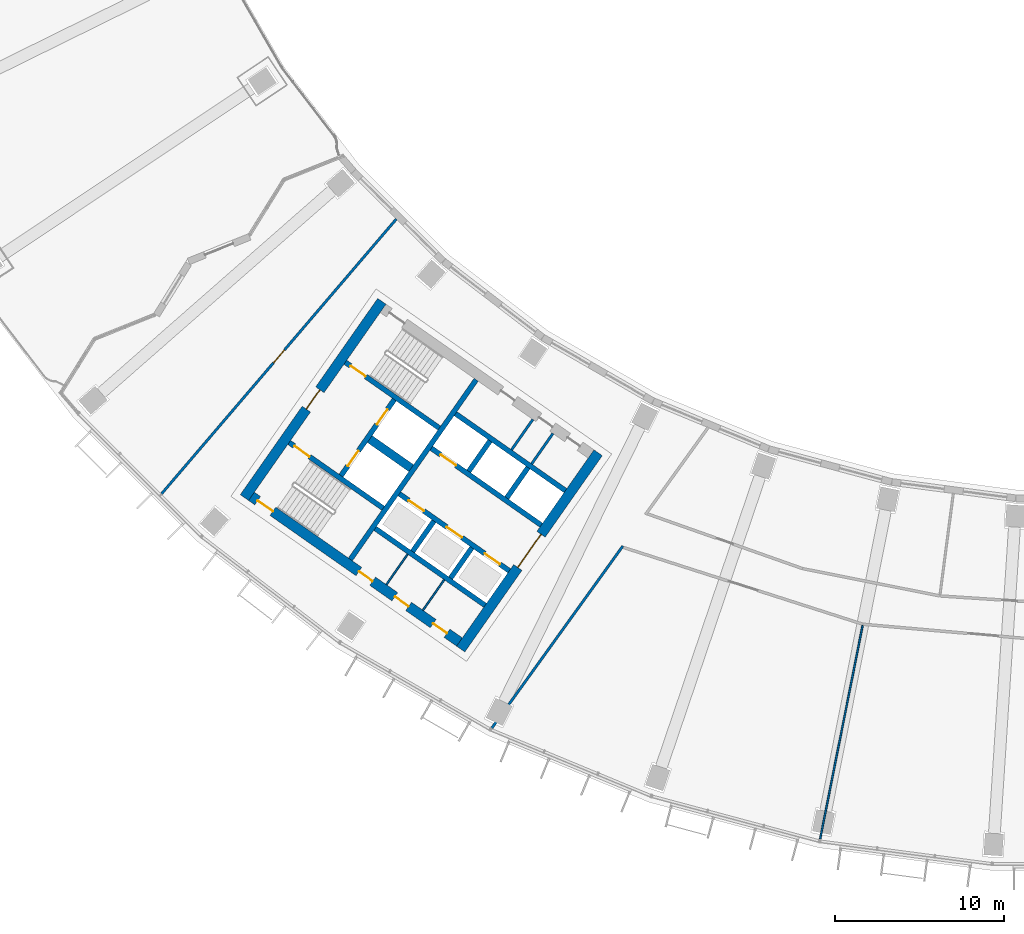
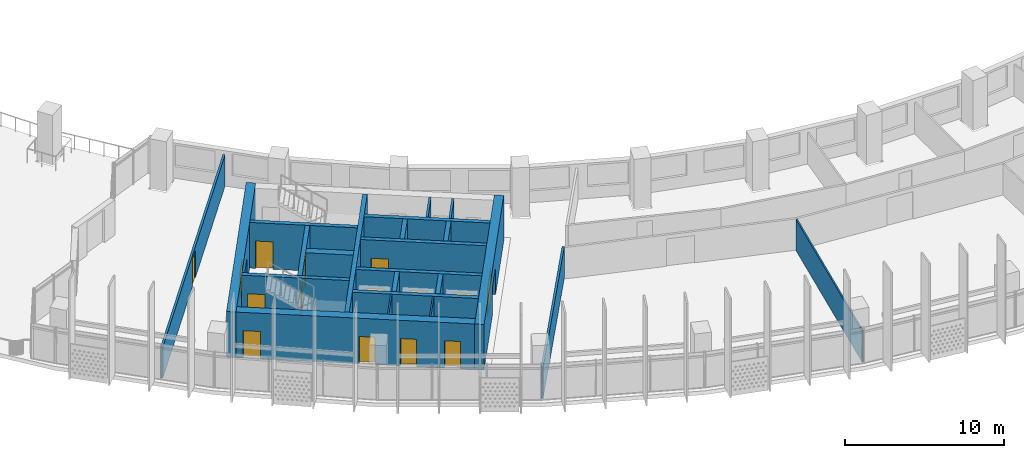
# One storey, part 3 of 31: 23 walls, 15 doors, 15 openings.
"""IFC4 building model written with IfcOpenShell, lengths in metres."""

from ifc_helpers import new_model, si_unit, direction, frame, frame_2d, origin, place, context, subcontext, project, spatial, rectangle, extrude, material, layer, layer_set, type_object, element, fill, save


model = new_model("IFC4")

# Units and contexts
model_context = context("Model", 3, precision=1e-05, world=origin(), true_north=direction((0.0, 1.0)))
body_context = subcontext(model_context, "Body", "Model", "MODEL_VIEW")
ifc_project = project(units=[si_unit("LENGTHUNIT", "METRE"), si_unit("AREAUNIT", "SQUARE_METRE"), si_unit("VOLUMEUNIT", "CUBIC_METRE"), si_unit("PLANEANGLEUNIT", "RADIAN"), si_unit("MASSUNIT", "GRAM", prefix="KILO")], contexts=[model_context])

# Site, building, storey
site_placement = place(None, origin())
site = spatial("IfcSite", under=ifc_project, at=site_placement, CompositionType="ELEMENT")
building_placement = place(site_placement, origin())
building = spatial("IfcBuilding", under=site, at=building_placement, Name="Qamariyya Broadcast Tower", CompositionType="ELEMENT")
storey_placement = place(building_placement, frame((0.0, 0.0, 149.300048828125)))
storey = spatial("IfcBuildingStorey", under=building, at=storey_placement, Name="L34", CompositionType="ELEMENT", Elevation=149.300048828125)

# Wall, opening, door
ifc_material_1 = material(Name="Concrete C60/75", Category="concrete")
ifc_layer_1 = layer(ifc_material_1, 0.60009765625)
ifc_layer_set_1 = layer_set([ifc_layer_1], Name="Core wall 600 mm Concrete C60/75")
wall_type_1 = type_object("IfcWallType", Name="Core wall 600 mm Concrete C60/75", PredefinedType="SHEAR", material=ifc_layer_set_1)
wall_1_placement = place(storey_placement, frame((-36.66748046875, -66.005126953125, 0.0), z_axis=(0.0, 0.0, 1.0), x_axis=(0.573568499524, 0.819157601658, 0.0)))
wall_1 = element("IfcWall", 1, at=wall_1_placement, inside=storey, type_object=wall_type_1, Name="k-W-L34-WA", PredefinedType="SHEAR", context=body_context, shape_type="SweptSolid", body=[
    extrude(rectangle(XDim=14.19970703125, YDim=0.60009765625, at=frame_2d((7.099853515625, 0.0))), origin(), (0.0, 0.0, 1.0), 3.5),
])
opening_1_placement = place(wall_1_placement, frame((5.89990234375, 0.0, 0.0)))
opening_1 = element("IfcOpeningElement", 2, at=opening_1_placement, cuts=wall_1, Name="Opening KD3-W1", PredefinedType="OPENING", context=body_context, shape_type="SweptSolid", body=[
    extrude(rectangle(XDim=2.39990234375, YDim=2.10009765625, at=frame_2d((1.199951171875, 1.050048828125))), frame((0.0, 0.31005859375, 0.0), z_axis=(0.0, -1.0, 0.0), x_axis=(1.0, 0.0, 0.0)), (0.0, 0.0, 1.0), 0.6201171875),
])
ifc_material_2 = material(Name="Steel fire-resisting door leaf", Category="steel")
door_type_1 = type_object("IfcDoorType", Name="Lift lobby door KD3", OperationType="DOUBLE_DOOR_SINGLE_SWING", PredefinedType="DOOR", material=ifc_material_2)
door_1_placement = place(opening_1_placement, origin())
door_1 = element("IfcDoor", 3, at=door_1_placement, inside=storey, type_object=door_type_1, Name="k-W-L34-WA-D1", OperationType="DOUBLE_DOOR_SINGLE_SWING", OverallHeight=2.10009765625, OverallWidth=2.39990234375, PredefinedType="DOOR", context=body_context, shape_type="SweptSolid", body=[
    extrude(rectangle(XDim=2.39990234375, YDim=2.10009765625, at=frame_2d((1.199951171875, 1.050048828125))), frame((0.0, 0.02490234375, 0.0), z_axis=(0.0, -1.0, 0.0), x_axis=(1.0, 0.0, 0.0)), (0.0, 0.0, 1.0), 0.050048828125),
])
fill(opening_1, door_1)

wall_2_placement = place(storey_placement, frame((-49.4833984375, -57.031494140625, 0.0), z_axis=(0.0, 0.0, 1.0), x_axis=(0.573560421458, 0.819163257805, 0.0)))
wall_2 = element("IfcWall", 4, at=wall_2_placement, inside=storey, type_object=wall_type_1, Name="k-W-L34-WH", PredefinedType="SHEAR", context=body_context, shape_type="SweptSolid", body=[
    extrude(rectangle(XDim=14.199951171875, YDim=0.60009765625, at=frame_2d((7.10009765625, 0.0))), origin(), (0.0, 0.0, 1.0), 3.5),
])
opening_2_placement = place(wall_2_placement, frame((6.39990234375, 0.0, 0.0)))
opening_2 = element("IfcOpeningElement", 5, at=opening_2_placement, cuts=wall_2, Name="Opening KD2-W1", PredefinedType="OPENING", context=body_context, shape_type="SweptSolid", body=[
    extrude(rectangle(XDim=1.39990234375, YDim=2.10009765625, at=frame_2d((0.699951171875, 1.050048828125))), frame((0.0, 0.31005859375, 0.0), z_axis=(0.0, -1.0, 0.0), x_axis=(1.0, 0.0, 0.0)), (0.0, 0.0, 1.0), 0.6201171875),
])
door_type_2 = type_object("IfcDoorType", Name="Fire-fighting lobby door KD2", OperationType="DOUBLE_DOOR_SINGLE_SWING", PredefinedType="DOOR", material=ifc_material_2)
door_2_placement = place(opening_2_placement, origin())
door_2 = element("IfcDoor", 6, at=door_2_placement, inside=storey, type_object=door_type_2, Name="k-W-L34-WH-D14", OperationType="DOUBLE_DOOR_SINGLE_SWING", OverallHeight=2.10009765625, OverallWidth=1.39990234375, PredefinedType="DOOR", context=body_context, shape_type="SweptSolid", body=[
    extrude(rectangle(XDim=1.39990234375, YDim=2.10009765625, at=frame_2d((0.699951171875, 1.050048828125))), frame((0.0, 0.02490234375, 0.0), z_axis=(0.0, -1.0, 0.0), x_axis=(1.0, 0.0, 0.0)), (0.0, 0.0, 1.0), 0.050048828125),
])
fill(opening_2, door_2)

# Wall, openings, doors
wall_3_placement = place(storey_placement, frame((-36.7412109375, -65.58740234375, 0.0), z_axis=(0.0, 0.0, 1.0), x_axis=(-0.819153391756, 0.573574511963, 0.0)))
wall_3 = element("IfcWall", 7, at=wall_3_placement, inside=storey, type_object=wall_type_1, Name="k-W-L34-WO", PredefinedType="SHEAR", context=body_context, shape_type="SweptSolid", body=[
    extrude(rectangle(XDim=15.04541015625, YDim=0.60009765625, at=frame_2d((7.522705078125, 0.0))), origin(), (0.0, 0.0, 1.0), 3.5),
])
opening_3_placement = place(wall_3_placement, frame((0.89990234375, 0.0, 0.0)))
opening_3 = element("IfcOpeningElement", 8, at=opening_3_placement, cuts=wall_3, Name="Opening KD4-W1", PredefinedType="OPENING", context=body_context, shape_type="SweptSolid", body=[
    extrude(rectangle(XDim=1.0, YDim=2.10009765625, at=frame_2d((0.5, 1.050048828125))), frame((0.0, 0.31005859375, 0.0), z_axis=(0.0, -1.0, 0.0), x_axis=(1.0, 0.0, 0.0)), (0.0, 0.0, 1.0), 0.6201171875),
])
opening_4_placement = place(wall_3_placement, frame((3.675048828125, 0.0, 0.0)))
opening_4 = element("IfcOpeningElement", 9, at=opening_4_placement, cuts=wall_3, Name="Opening KD4-W2", PredefinedType="OPENING", context=body_context, shape_type="SweptSolid", body=[
    extrude(rectangle(XDim=1.0, YDim=2.10009765625, at=frame_2d((0.5, 1.050048828125))), frame((0.0, 0.31005859375, 0.0), z_axis=(0.0, -1.0, 0.0), x_axis=(1.0, 0.0, 0.0)), (0.0, 0.0, 1.0), 0.6201171875),
])
opening_5_placement = place(wall_3_placement, frame((6.27490234375, 0.0, 0.0)))
opening_5 = element("IfcOpeningElement", 10, at=opening_5_placement, cuts=wall_3, Name="Opening KD4-W3", PredefinedType="OPENING", context=body_context, shape_type="SweptSolid", body=[
    extrude(rectangle(XDim=1.0, YDim=2.10009765625, at=frame_2d((0.5, 1.050048828125))), frame((0.0, 0.31005859375, 0.0), z_axis=(0.0, -1.0, 0.0), x_axis=(1.0, 0.0, 0.0)), (0.0, 0.0, 1.0), 0.6201171875),
])
opening_6_placement = place(wall_3_placement, frame((13.495361328125, 0.0, 0.0)))
opening_6 = element("IfcOpeningElement", 11, at=opening_6_placement, cuts=wall_3, Name="Opening KD1-W3", PredefinedType="OPENING", context=body_context, shape_type="SweptSolid", body=[
    extrude(rectangle(XDim=1.10009765625, YDim=2.10009765625, at=frame_2d((0.550048828125, 1.050048828125))), frame((0.0, 0.31005859375, 0.0), z_axis=(0.0, -1.0, 0.0), x_axis=(1.0, 0.0, 0.0)), (0.0, 0.0, 1.0), 0.6201171875),
])
door_type_3 = type_object("IfcDoorType", Name="Riser and plant door KD4", OperationType="SINGLE_SWING_LEFT", PredefinedType="DOOR", material=ifc_material_2)
door_3_placement = place(opening_3_placement, origin())
door_3 = element("IfcDoor", 12, at=door_3_placement, inside=storey, type_object=door_type_3, Name="k-W-L34-WO-D9", OperationType="SINGLE_SWING_RIGHT", OverallHeight=2.10009765625, OverallWidth=1.0, PredefinedType="DOOR", context=body_context, shape_type="SweptSolid", body=[
    extrude(rectangle(XDim=1.0, YDim=2.10009765625, at=frame_2d((0.5, 1.050048828125))), frame((0.0, 0.02490234375, 0.0), z_axis=(0.0, -1.0, 0.0), x_axis=(1.0, 0.0, 0.0)), (0.0, 0.0, 1.0), 0.050048828125),
])
fill(opening_3, door_3)
door_4_placement = place(opening_4_placement, origin())
door_4 = element("IfcDoor", 13, at=door_4_placement, inside=storey, type_object=door_type_3, Name="k-W-L34-WO-D10", OperationType="SINGLE_SWING_LEFT", OverallHeight=2.10009765625, OverallWidth=1.0, PredefinedType="DOOR", context=body_context, shape_type="SweptSolid", body=[
    extrude(rectangle(XDim=1.0, YDim=2.10009765625, at=frame_2d((0.5, 1.050048828125))), frame((0.0, 0.02490234375, 0.0), z_axis=(0.0, -1.0, 0.0), x_axis=(1.0, 0.0, 0.0)), (0.0, 0.0, 1.0), 0.050048828125),
])
fill(opening_4, door_4)
door_5_placement = place(opening_5_placement, origin())
door_5 = element("IfcDoor", 14, at=door_5_placement, inside=storey, type_object=door_type_3, Name="k-W-L34-WO-D11", OperationType="SINGLE_SWING_RIGHT", OverallHeight=2.10009765625, OverallWidth=1.0, PredefinedType="DOOR", context=body_context, shape_type="SweptSolid", body=[
    extrude(rectangle(XDim=1.0, YDim=2.10009765625, at=frame_2d((0.5, 1.050048828125))), frame((0.0, 0.02490234375, 0.0), z_axis=(0.0, -1.0, 0.0), x_axis=(1.0, 0.0, 0.0)), (0.0, 0.0, 1.0), 0.050048828125),
])
fill(opening_5, door_5)
door_type_4 = type_object("IfcDoorType", Name="Stair door KD1", OperationType="SINGLE_SWING_LEFT", PredefinedType="DOOR", material=ifc_material_2)
door_6_placement = place(opening_6_placement, origin())
door_6 = element("IfcDoor", 15, at=door_6_placement, inside=storey, type_object=door_type_4, Name="k-W-L34-WO-D17", OperationType="SINGLE_SWING_LEFT", OverallHeight=2.10009765625, OverallWidth=1.10009765625, PredefinedType="DOOR", context=body_context, shape_type="SweptSolid", body=[
    extrude(rectangle(XDim=1.10009765625, YDim=2.10009765625, at=frame_2d((0.550048828125, 1.050048828125))), frame((0.0, 0.02490234375, 0.0), z_axis=(0.0, -1.0, 0.0), x_axis=(1.0, 0.0, 0.0)), (0.0, 0.0, 1.0), 0.050048828125),
])
fill(opening_6, door_6)

# Wall, opening, door
ifc_material_3 = material(Name="Gypsum board partition")
ifc_layer_2 = layer(ifc_material_3, 0.14990234375)
ifc_layer_set_2 = layer_set([ifc_layer_2], Name="Corridor partition 150 EI 60")
wall_type_2 = type_object("IfcWallType", Name="Corridor partition 150 EI 60", PredefinedType="PARTITIONING", material=ifc_layer_set_2)
wall_4_placement = place(storey_placement, frame((-54.39404296875, -56.8076171875, 0.0), z_axis=(0.0, 0.0, 1.0), x_axis=(0.649633284071, 0.760247720303, 0.0)))
wall_4 = element("IfcWall", 16, at=wall_4_placement, inside=storey, type_object=wall_type_2, Name="Partition L34-001", PredefinedType="PARTITIONING", context=body_context, shape_type="SweptSolid", body=[
    extrude(rectangle(XDim=21.420166015625, YDim=0.14990234375, at=frame_2d((10.7099609375, 0.0))), origin(), (0.0, 0.0, 1.0), 2.39990234375),
])
opening_7_placement = place(wall_4_placement, frame((10.210205078125, 0.0, 0.0)))
opening_7 = element("IfcOpeningElement", 17, at=opening_7_placement, cuts=wall_4, Name="Opening L34-D09", PredefinedType="OPENING", context=body_context, shape_type="SweptSolid", body=[
    extrude(rectangle(XDim=1.0, YDim=2.10009765625, at=frame_2d((0.5, 1.050048828125))), frame((0.0, 0.0849609375, 0.0), z_axis=(0.0, -1.0, 0.0), x_axis=(1.0, 0.0, 0.0)), (0.0, 0.0, 1.0), 0.169921875),
])
ifc_material_4 = material(Name="Timber fire door leaf", Category="wood")
door_type_5 = type_object("IfcDoorType", Name="Fire door 1000 x 2100 FD60", OperationType="NOTDEFINED", PredefinedType="DOOR", material=ifc_material_4)
door_7_placement = place(opening_7_placement, origin())
door_7 = element("IfcDoor", 18, at=door_7_placement, inside=storey, type_object=door_type_5, Name="Door L34-D09", OperationType="SINGLE_SWING_RIGHT", OverallHeight=2.10009765625, OverallWidth=1.0, PredefinedType="DOOR", context=body_context, shape_type="SweptSolid", body=[
    extrude(rectangle(XDim=1.0, YDim=2.10009765625, at=frame_2d((0.5, 1.050048828125))), frame((0.0, 0.02490234375, 0.0), z_axis=(0.0, -1.0, 0.0), x_axis=(1.0, 0.0, 0.0)), (0.0, 0.0, 1.0), 0.050048828125),
])
fill(opening_7, door_7)

# Walls
wall_5_placement = place(storey_placement, frame((-27.056884765625, -59.899169921875, 0.0), z_axis=(0.0, 0.0, 1.0), x_axis=(-0.584166374063, -0.81163393683, 0.0)))
element("IfcWall", 19, at=wall_5_placement, inside=storey, type_object=wall_type_2, Name="Partition L34-002", PredefinedType="PARTITIONING", context=body_context, shape_type="SweptSolid", body=[
    extrude(rectangle(XDim=13.296142578125, YDim=0.14990234375, at=frame_2d((6.64794921875, 0.0))), origin(), (0.0, 0.0, 1.0), 2.39990234375),
])
ifc_layer_3 = layer(ifc_material_1, 0.5)
ifc_layer_set_3 = layer_set([ifc_layer_3], Name="Fire-fighting lobby divider wall 500 mm Concrete C60/75")
wall_type_3 = type_object("IfcWallType", Name="Fire-fighting lobby divider wall 500 mm Concrete C60/75", PredefinedType="SOLIDWALL", material=ifc_layer_set_3)
wall_6_placement = place(storey_placement, frame((-39.59912109375, -55.28515625, 0.0), z_axis=(0.0, 0.0, 1.0), x_axis=(-0.819136323161, 0.573598887793, 0.0)))
element("IfcWall", 20, at=wall_6_placement, inside=storey, type_object=wall_type_3, Name="k-W-L34-FD", PredefinedType="SOLIDWALL", context=body_context, shape_type="SweptSolid", body=[
    extrude(rectangle(XDim=2.999755859375, YDim=0.5, at=frame_2d((1.5, 0.0))), origin(), (0.0, 0.0, 1.0), 3.5),
])
ifc_material_5 = material(Name="Gypsum board partition on steel studs", Category="steel")
ifc_layer_4 = layer(ifc_material_5, 0.14990234375)
ifc_layer_set_4 = layer_set([ifc_layer_4], Name="Gypsum board partition 150 mm")
wall_type_4 = type_object("IfcWallType", Name="Gypsum board partition 150 mm", PredefinedType="PARTITIONING", material=ifc_layer_set_4)
wall_7_placement = place(storey_placement, frame((-32.46337890625, -55.0322265625, 0.0), z_axis=(0.0, 0.0, 1.0), x_axis=(0.573507030513, 0.819200638399, 0.0)))
element("IfcWall", 21, at=wall_7_placement, inside=storey, type_object=wall_type_4, Name="k-W-L34-NP255", PredefinedType="PARTITIONING", context=body_context, shape_type="SweptSolid", body=[
    extrude(rectangle(XDim=2.199951171875, YDim=0.14990234375, at=frame_2d((1.10009765625, 0.0))), origin(), (0.0, 0.0, 1.0), 3.5),
])
wall_8_placement = place(storey_placement, frame((-33.651123046875, -54.200439453125, 0.0), z_axis=(0.0, 0.0, 1.0), x_axis=(0.573559170999, 0.819164133348, 0.0)))
element("IfcWall", 22, at=wall_8_placement, inside=storey, type_object=wall_type_4, Name="k-W-L34-NP400", PredefinedType="PARTITIONING", context=body_context, shape_type="SweptSolid", body=[
    extrude(rectangle(XDim=2.19970703125, YDim=0.14990234375, at=frame_2d((1.099853515625, 0.0))), origin(), (0.0, 0.0, 1.0), 3.5),
])
ifc_layer_5 = layer(ifc_material_1, 0.300048828125)
ifc_layer_set_5 = layer_set([ifc_layer_5], Name="Lift shaft wall 300 mm Concrete C60/75")
wall_type_5 = type_object("IfcWallType", Name="Lift shaft wall 300 mm Concrete C60/75", PredefinedType="SOLIDWALL", material=ifc_layer_set_5)
wall_9_placement = place(storey_placement, frame((-43.204345703125, -60.69580078125, 0.0), z_axis=(0.0, 0.0, 1.0), x_axis=(0.573571992966, 0.819155155563, 0.0)))
element("IfcWall", 23, at=wall_9_placement, inside=storey, type_object=wall_type_5, Name="k-W-L34-WL", PredefinedType="SOLIDWALL", context=body_context, shape_type="SweptSolid", body=[
    extrude(rectangle(XDim=13.000244140625, YDim=0.300048828125, at=frame_2d((6.5, 0.0))), origin(), (0.0, 0.0, 1.0), 3.5),
])

# Wall, opening, door
wall_10_placement = place(storey_placement, frame((-31.89453125, -58.66552734375, 0.0), z_axis=(0.0, 0.0, 1.0), x_axis=(-0.819166993208, 0.573555086491, 0.0)))
wall_10 = element("IfcWall", 24, at=wall_10_placement, inside=storey, type_object=wall_type_5, Name="k-W-L34-NF0", PredefinedType="SOLIDWALL", context=body_context, shape_type="SweptSolid", body=[
    extrude(rectangle(XDim=7.9501953125, YDim=0.300048828125, at=frame_2d((3.97509765625, 0.0))), origin(), (0.0, 0.0, 1.0), 3.5),
])
opening_8_placement = place(wall_10_placement, frame((6.175048828125, 0.0, 0.0)))
opening_8 = element("IfcOpeningElement", 25, at=opening_8_placement, cuts=wall_10, Name="Opening LD", PredefinedType="OPENING", context=body_context, shape_type="SweptSolid", body=[
    extrude(rectangle(XDim=1.10009765625, YDim=2.10009765625, at=frame_2d((0.550048828125, 1.050048828125))), frame((0.0, 0.159912109375, 0.0), z_axis=(0.0, -1.0, 0.0), x_axis=(1.0, 0.0, 0.0)), (0.0, 0.0, 1.0), 0.320068359375),
])
door_type_6 = type_object("IfcDoorType", Name="Lift landing door LD", OperationType="DOUBLE_DOOR_SLIDING", PredefinedType="DOOR", material=ifc_material_2)
door_8_placement = place(opening_8_placement, origin())
door_8 = element("IfcDoor", 26, at=door_8_placement, inside=storey, type_object=door_type_6, Name="k-W-L34-NF0-D2", OperationType="DOUBLE_DOOR_SLIDING", OverallHeight=2.10009765625, OverallWidth=1.10009765625, PredefinedType="DOOR", context=body_context, shape_type="SweptSolid", body=[
    extrude(rectangle(XDim=1.10009765625, YDim=2.10009765625, at=frame_2d((0.550048828125, 1.050048828125))), frame((0.0, 0.02490234375, 0.0), z_axis=(0.0, -1.0, 0.0), x_axis=(1.0, 0.0, 0.0)), (0.0, 0.0, 1.0), 0.050048828125),
])
fill(opening_8, door_8)

# Walls
wall_11_placement = place(storey_placement, frame((-30.460693359375, -56.61767578125, 0.0), z_axis=(0.0, 0.0, 1.0), x_axis=(-0.819142461705, 0.573590121456, 0.0)))
element("IfcWall", 27, at=wall_11_placement, inside=storey, type_object=wall_type_5, Name="k-W-L34-NB0", PredefinedType="SOLIDWALL", context=body_context, shape_type="SweptSolid", body=[
    extrude(rectangle(XDim=7.949951171875, YDim=0.300048828125, at=frame_2d((3.97509765625, 0.0))), origin(), (0.0, 0.0, 1.0), 3.5),
])
wall_12_placement = place(storey_placement, frame((-33.9384765625, -57.051513671875, 0.0), z_axis=(0.0, 0.0, 1.0), x_axis=(0.573581496053, 0.819148501424, 0.0)))
element("IfcWall", 28, at=wall_12_placement, inside=storey, type_object=wall_type_5, Name="k-W-L34-ND0", PredefinedType="SOLIDWALL", context=body_context, shape_type="SweptSolid", body=[
    extrude(rectangle(XDim=2.2001953125, YDim=0.300048828125, at=frame_2d((1.10009765625, 0.0))), origin(), (0.0, 0.0, 1.0), 3.5),
])
wall_13_placement = place(storey_placement, frame((-36.19091796875, -55.47412109375, 0.0), z_axis=(0.0, 0.0, 1.0), x_axis=(0.573507030513, 0.819200638399, 0.0)))
element("IfcWall", 29, at=wall_13_placement, inside=storey, type_object=wall_type_5, Name="k-W-L34-ND1", PredefinedType="SOLIDWALL", context=body_context, shape_type="SweptSolid", body=[
    extrude(rectangle(XDim=2.199951171875, YDim=0.300048828125, at=frame_2d((1.10009765625, 0.0))), origin(), (0.0, 0.0, 1.0), 3.5),
])

# Wall, openings, doors
wall_14_placement = place(storey_placement, frame((-33.787353515625, -61.368896484375, 0.0), z_axis=(0.0, 0.0, 1.0), x_axis=(-0.819152564888, 0.573575692858, 0.0)))
wall_14 = element("IfcWall", 30, at=wall_14_placement, inside=storey, type_object=wall_type_5, Name="k-W-L34-SF0", PredefinedType="SOLIDWALL", context=body_context, shape_type="SweptSolid", body=[
    extrude(rectangle(XDim=7.9501953125, YDim=0.300048828125, at=frame_2d((3.97509765625, 0.0))), origin(), (0.0, 0.0, 1.0), 3.5),
])
opening_9_placement = place(wall_14_placement, frame((0.675048828125, 0.0, 0.0)))
opening_9 = element("IfcOpeningElement", 31, at=opening_9_placement, cuts=wall_14, Name="Opening LD", PredefinedType="OPENING", context=body_context, shape_type="SweptSolid", body=[
    extrude(rectangle(XDim=1.10009765625, YDim=2.10009765625, at=frame_2d((0.550048828125, 1.050048828125))), frame((0.0, 0.159912109375, 0.0), z_axis=(0.0, -1.0, 0.0), x_axis=(1.0, 0.0, 0.0)), (0.0, 0.0, 1.0), 0.320068359375),
])
opening_10_placement = place(wall_14_placement, frame((3.425048828125, 0.0, 0.0)))
opening_10 = element("IfcOpeningElement", 32, at=opening_10_placement, cuts=wall_14, Name="Opening LD", PredefinedType="OPENING", context=body_context, shape_type="SweptSolid", body=[
    extrude(rectangle(XDim=1.10009765625, YDim=2.10009765625, at=frame_2d((0.550048828125, 1.050048828125))), frame((0.0, 0.159912109375, 0.0), z_axis=(0.0, -1.0, 0.0), x_axis=(1.0, 0.0, 0.0)), (0.0, 0.0, 1.0), 0.320068359375),
])
opening_11_placement = place(wall_14_placement, frame((6.175048828125, 0.0, 0.0)))
opening_11 = element("IfcOpeningElement", 33, at=opening_11_placement, cuts=wall_14, Name="Opening LD", PredefinedType="OPENING", context=body_context, shape_type="SweptSolid", body=[
    extrude(rectangle(XDim=1.10009765625, YDim=2.10009765625, at=frame_2d((0.550048828125, 1.050048828125))), frame((0.0, 0.159912109375, 0.0), z_axis=(0.0, -1.0, 0.0), x_axis=(1.0, 0.0, 0.0)), (0.0, 0.0, 1.0), 0.320068359375),
])
door_9_placement = place(opening_9_placement, origin())
door_9 = element("IfcDoor", 34, at=door_9_placement, inside=storey, type_object=door_type_6, Name="k-W-L34-SF0-D3", OperationType="DOUBLE_DOOR_SLIDING", OverallHeight=2.10009765625, OverallWidth=1.10009765625, PredefinedType="DOOR", context=body_context, shape_type="SweptSolid", body=[
    extrude(rectangle(XDim=1.10009765625, YDim=2.10009765625, at=frame_2d((0.550048828125, 1.050048828125))), frame((0.0, 0.02490234375, 0.0), z_axis=(0.0, -1.0, 0.0), x_axis=(1.0, 0.0, 0.0)), (0.0, 0.0, 1.0), 0.050048828125),
])
fill(opening_9, door_9)
door_10_placement = place(opening_10_placement, origin())
door_10 = element("IfcDoor", 35, at=door_10_placement, inside=storey, type_object=door_type_6, Name="k-W-L34-SF0-D4", OperationType="DOUBLE_DOOR_SLIDING", OverallHeight=2.10009765625, OverallWidth=1.10009765625, PredefinedType="DOOR", context=body_context, shape_type="SweptSolid", body=[
    extrude(rectangle(XDim=1.10009765625, YDim=2.10009765625, at=frame_2d((0.550048828125, 1.050048828125))), frame((0.0, 0.02490234375, 0.0), z_axis=(0.0, -1.0, 0.0), x_axis=(1.0, 0.0, 0.0)), (0.0, 0.0, 1.0), 0.050048828125),
])
fill(opening_10, door_10)
door_11_placement = place(opening_11_placement, origin())
door_11 = element("IfcDoor", 36, at=door_11_placement, inside=storey, type_object=door_type_6, Name="k-W-L34-SF0-D5", OperationType="DOUBLE_DOOR_SLIDING", OverallHeight=2.10009765625, OverallWidth=1.10009765625, PredefinedType="DOOR", context=body_context, shape_type="SweptSolid", body=[
    extrude(rectangle(XDim=1.10009765625, YDim=2.10009765625, at=frame_2d((0.550048828125, 1.050048828125))), frame((0.0, 0.02490234375, 0.0), z_axis=(0.0, -1.0, 0.0), x_axis=(1.0, 0.0, 0.0)), (0.0, 0.0, 1.0), 0.050048828125),
])
fill(opening_11, door_11)

# Walls
wall_15_placement = place(storey_placement, frame((-35.22119140625, -63.41650390625, 0.0), z_axis=(0.0, 0.0, 1.0), x_axis=(-0.819166993208, 0.573555086491, 0.0)))
element("IfcWall", 37, at=wall_15_placement, inside=storey, type_object=wall_type_5, Name="k-W-L34-SB0", PredefinedType="SOLIDWALL", context=body_context, shape_type="SweptSolid", body=[
    extrude(rectangle(XDim=7.9501953125, YDim=0.300048828125, at=frame_2d((3.97509765625, 0.0))), origin(), (0.0, 0.0, 1.0), 3.5),
])
wall_16_placement = place(storey_placement, frame((-36.003173828125, -60.000244140625, 0.0), z_axis=(0.0, 0.0, 1.0), x_axis=(-0.573581496053, -0.819148501424, 0.0)))
element("IfcWall", 38, at=wall_16_placement, inside=storey, type_object=wall_type_5, Name="k-W-L34-SD0", PredefinedType="SOLIDWALL", context=body_context, shape_type="SweptSolid", body=[
    extrude(rectangle(XDim=2.2001953125, YDim=0.300048828125, at=frame_2d((1.10009765625, 0.0))), origin(), (0.0, 0.0, 1.0), 3.5),
])
wall_17_placement = place(storey_placement, frame((-38.255859375, -58.423095703125, 0.0), z_axis=(0.0, 0.0, 1.0), x_axis=(-0.573633636671, -0.819111989218, 0.0)))
element("IfcWall", 39, at=wall_17_placement, inside=storey, type_object=wall_type_5, Name="k-W-L34-SD1", PredefinedType="SOLIDWALL", context=body_context, shape_type="SweptSolid", body=[
    extrude(rectangle(XDim=2.199951171875, YDim=0.300048828125, at=frame_2d((1.10009765625, 0.0))), origin(), (0.0, 0.0, 1.0), 3.5),
])

# Wall, opening, door
wall_18_placement = place(storey_placement, frame((-37.935546875, -52.90966796875, 0.0), z_axis=(0.0, 0.0, 1.0), x_axis=(-0.819147518138, 0.57358290031, 0.0)))
wall_18 = element("IfcWall", 40, at=wall_18_placement, inside=storey, type_object=wall_type_5, Name="k-W-L34-NW", PredefinedType="SOLIDWALL", context=body_context, shape_type="SweptSolid", body=[
    extrude(rectangle(XDim=6.79541015625, YDim=0.300048828125, at=frame_2d((3.397705078125, 0.0))), origin(), (0.0, 0.0, 1.0), 3.5),
])
opening_12_placement = place(wall_18_placement, frame((5.3203125, 0.0, 0.0)))
opening_12 = element("IfcOpeningElement", 41, at=opening_12_placement, cuts=wall_18, Name="Opening KD1-W2", PredefinedType="OPENING", context=body_context, shape_type="SweptSolid", body=[
    extrude(rectangle(XDim=1.10009765625, YDim=2.10009765625, at=frame_2d((0.550048828125, 1.050048828125))), frame((0.0, 0.159912109375, 0.0), z_axis=(0.0, -1.0, 0.0), x_axis=(1.0, 0.0, 0.0)), (0.0, 0.0, 1.0), 0.320068359375),
])
door_12_placement = place(opening_12_placement, origin())
door_12 = element("IfcDoor", 42, at=door_12_placement, inside=storey, type_object=door_type_4, Name="k-W-L34-NW-D16", OperationType="SINGLE_SWING_LEFT", OverallHeight=2.10009765625, OverallWidth=1.10009765625, PredefinedType="DOOR", context=body_context, shape_type="SweptSolid", body=[
    extrude(rectangle(XDim=1.10009765625, YDim=2.10009765625, at=frame_2d((0.550048828125, 1.050048828125))), frame((0.0, 0.02490234375, 0.0), z_axis=(0.0, -1.0, 0.0), x_axis=(1.0, 0.0, 0.0)), (0.0, 0.0, 1.0), 0.050048828125),
])
fill(opening_12, door_12)

wall_19_placement = place(storey_placement, frame((-41.262451171875, -57.66064453125, 0.0), z_axis=(0.0, 0.0, 1.0), x_axis=(-0.819164398642, 0.573558792102, 0.0)))
wall_19 = element("IfcWall", 43, at=wall_19_placement, inside=storey, type_object=wall_type_5, Name="k-W-L34-SW", PredefinedType="SOLIDWALL", context=body_context, shape_type="SweptSolid", body=[
    extrude(rectangle(XDim=6.795166015625, YDim=0.300048828125, at=frame_2d((3.3974609375, 0.0))), origin(), (0.0, 0.0, 1.0), 3.5),
])
opening_13_placement = place(wall_19_placement, frame((5.3203125, 0.0, 0.0)))
opening_13 = element("IfcOpeningElement", 44, at=opening_13_placement, cuts=wall_19, Name="Opening KD1-W4", PredefinedType="OPENING", context=body_context, shape_type="SweptSolid", body=[
    extrude(rectangle(XDim=1.10009765625, YDim=2.10009765625, at=frame_2d((0.550048828125, 1.050048828125))), frame((0.0, 0.159912109375, 0.0), z_axis=(0.0, -1.0, 0.0), x_axis=(1.0, 0.0, 0.0)), (0.0, 0.0, 1.0), 0.320068359375),
])
door_13_placement = place(opening_13_placement, origin())
door_13 = element("IfcDoor", 45, at=door_13_placement, inside=storey, type_object=door_type_4, Name="k-W-L34-SW-D18", OperationType="SINGLE_SWING_LEFT", OverallHeight=2.10009765625, OverallWidth=1.10009765625, PredefinedType="DOOR", context=body_context, shape_type="SweptSolid", body=[
    extrude(rectangle(XDim=1.10009765625, YDim=2.10009765625, at=frame_2d((0.550048828125, 1.050048828125))), frame((0.0, 0.02490234375, 0.0), z_axis=(0.0, -1.0, 0.0), x_axis=(1.0, 0.0, 0.0)), (0.0, 0.0, 1.0), 0.050048828125),
])
fill(opening_13, door_13)

# Wall, openings, doors
wall_20_placement = place(storey_placement, frame((-43.756591796875, -55.731201171875, 0.0), z_axis=(0.0, 0.0, 1.0), x_axis=(0.573536818435, 0.819179783625, 0.0)))
wall_20 = element("IfcWall", 46, at=wall_20_placement, inside=storey, type_object=wall_type_5, Name="k-W-L34-FF", PredefinedType="SOLIDWALL", context=body_context, shape_type="SweptSolid", body=[
    extrude(rectangle(XDim=5.500244140625, YDim=0.300048828125, at=frame_2d((2.75, 0.0))), origin(), (0.0, 0.0, 1.0), 3.5),
])
opening_14_placement = place(wall_20_placement, frame((0.699951171875, 0.0, 0.0)))
opening_14 = element("IfcOpeningElement", 47, at=opening_14_placement, cuts=wall_20, Name="Opening LD", PredefinedType="OPENING", context=body_context, shape_type="SweptSolid", body=[
    extrude(rectangle(XDim=1.10009765625, YDim=2.10009765625, at=frame_2d((0.550048828125, 1.050048828125))), frame((0.0, 0.159912109375, 0.0), z_axis=(0.0, -1.0, 0.0), x_axis=(1.0, 0.0, 0.0)), (0.0, 0.0, 1.0), 0.320068359375),
])
opening_15_placement = place(wall_20_placement, frame((3.699951171875, 0.0, 0.0)))
opening_15 = element("IfcOpeningElement", 48, at=opening_15_placement, cuts=wall_20, Name="Opening LD", PredefinedType="OPENING", context=body_context, shape_type="SweptSolid", body=[
    extrude(rectangle(XDim=1.10009765625, YDim=2.10009765625, at=frame_2d((0.550048828125, 1.050048828125))), frame((0.0, 0.159912109375, 0.0), z_axis=(0.0, -1.0, 0.0), x_axis=(1.0, 0.0, 0.0)), (0.0, 0.0, 1.0), 0.320068359375),
])
door_14_placement = place(opening_14_placement, origin())
door_14 = element("IfcDoor", 49, at=door_14_placement, inside=storey, type_object=door_type_6, Name="k-W-L34-FF-D12", OperationType="DOUBLE_DOOR_SLIDING", OverallHeight=2.10009765625, OverallWidth=1.10009765625, PredefinedType="DOOR", context=body_context, shape_type="SweptSolid", body=[
    extrude(rectangle(XDim=1.10009765625, YDim=2.10009765625, at=frame_2d((0.550048828125, 1.050048828125))), frame((0.0, 0.02490234375, 0.0), z_axis=(0.0, -1.0, 0.0), x_axis=(1.0, 0.0, 0.0)), (0.0, 0.0, 1.0), 0.050048828125),
])
fill(opening_14, door_14)
door_15_placement = place(opening_15_placement, origin())
door_15 = element("IfcDoor", 50, at=door_15_placement, inside=storey, type_object=door_type_6, Name="k-W-L34-FF-D13", OperationType="DOUBLE_DOOR_SLIDING", OverallHeight=2.10009765625, OverallWidth=1.10009765625, PredefinedType="DOOR", context=body_context, shape_type="SweptSolid", body=[
    extrude(rectangle(XDim=1.10009765625, YDim=2.10009765625, at=frame_2d((0.550048828125, 1.050048828125))), frame((0.0, 0.02490234375, 0.0), z_axis=(0.0, -1.0, 0.0), x_axis=(1.0, 0.0, 0.0)), (0.0, 0.0, 1.0), 0.050048828125),
])
fill(opening_15, door_15)

# Walls
ifc_layer_6 = layer(ifc_material_3, 0.10009765625)
ifc_layer_set_6 = layer_set([ifc_layer_6], Name="Partition 100")
wall_type_6 = type_object("IfcWallType", Name="Partition 100", PredefinedType="PARTITIONING", material=ifc_layer_set_6)
wall_21_placement = place(storey_placement, frame((-15.373046875, -77.285888671875, 0.0), z_axis=(0.0, 0.0, 1.0), x_axis=(0.195084402894, 0.980786457771, 0.0)))
element("IfcWall", 51, at=wall_21_placement, inside=storey, type_object=wall_type_6, Name="Partition L34-007", PredefinedType="PARTITIONING", context=body_context, shape_type="SweptSolid", body=[
    extrude(rectangle(XDim=12.925048828125, YDim=0.10009765625, at=frame_2d((6.46240234375, 0.0))), origin(), (0.0, 0.0, 1.0), 2.39990234375),
])
ifc_material_6 = material(Name="Fire-rated gypsum shaft liner on steel studs", Category="steel")
ifc_layer_7 = layer(ifc_material_6, 0.10009765625)
ifc_layer_set_7 = layer_set([ifc_layer_7], Name="Riser wall 100 mm")
wall_type_7 = type_object("IfcWallType", Name="Riser wall 100 mm", PredefinedType="PLUMBINGWALL", material=ifc_layer_set_7)
wall_22_placement = place(storey_placement, frame((-37.64208984375, -61.90478515625, 0.0), z_axis=(0.0, 0.0, 1.0), x_axis=(-0.573507030513, -0.819200638399, 0.0)))
element("IfcWall", 52, at=wall_22_placement, inside=storey, type_object=wall_type_7, Name="k-W-L34-SP285", PredefinedType="PLUMBINGWALL", context=body_context, shape_type="SweptSolid", body=[
    extrude(rectangle(XDim=2.199951171875, YDim=0.10009765625, at=frame_2d((1.10009765625, 0.0))), origin(), (0.0, 0.0, 1.0), 3.5),
])
wall_23_placement = place(storey_placement, frame((-39.812744140625, -60.384765625, 0.0), z_axis=(0.0, 0.0, 1.0), x_axis=(-0.573581496053, -0.819148501424, 0.0)))
element("IfcWall", 53, at=wall_23_placement, inside=storey, type_object=wall_type_7, Name="k-W-L34-SP550", PredefinedType="PLUMBINGWALL", context=body_context, shape_type="SweptSolid", body=[
    extrude(rectangle(XDim=2.2001953125, YDim=0.10009765625, at=frame_2d((1.10009765625, 0.0))), origin(), (0.0, 0.0, 1.0), 3.5),
])

save(model, "model.ifc")
